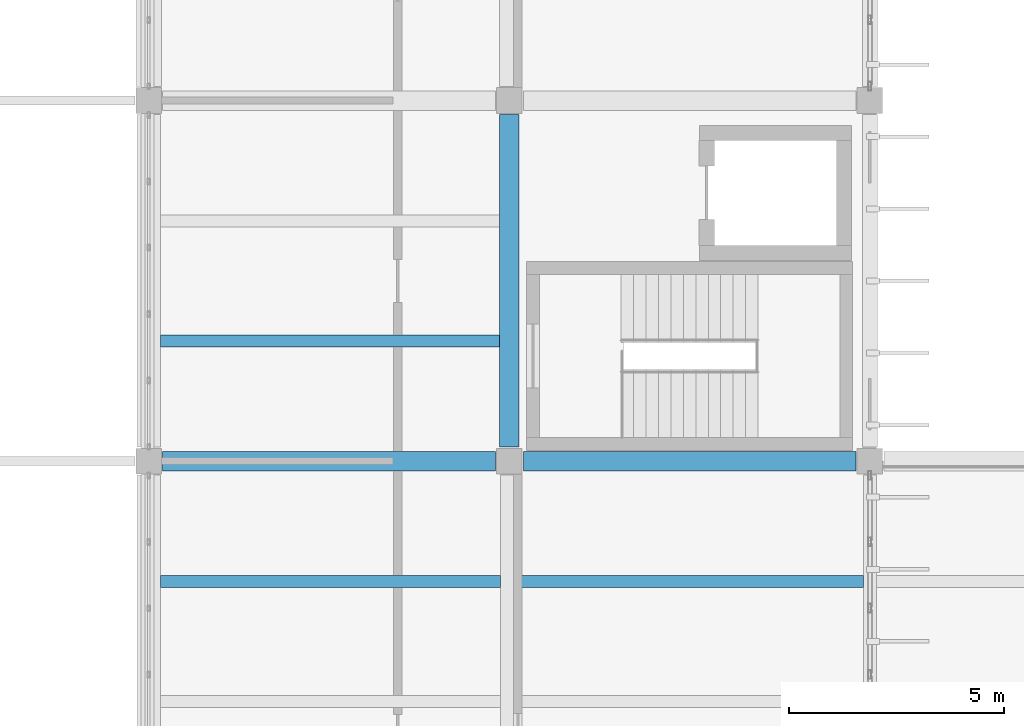
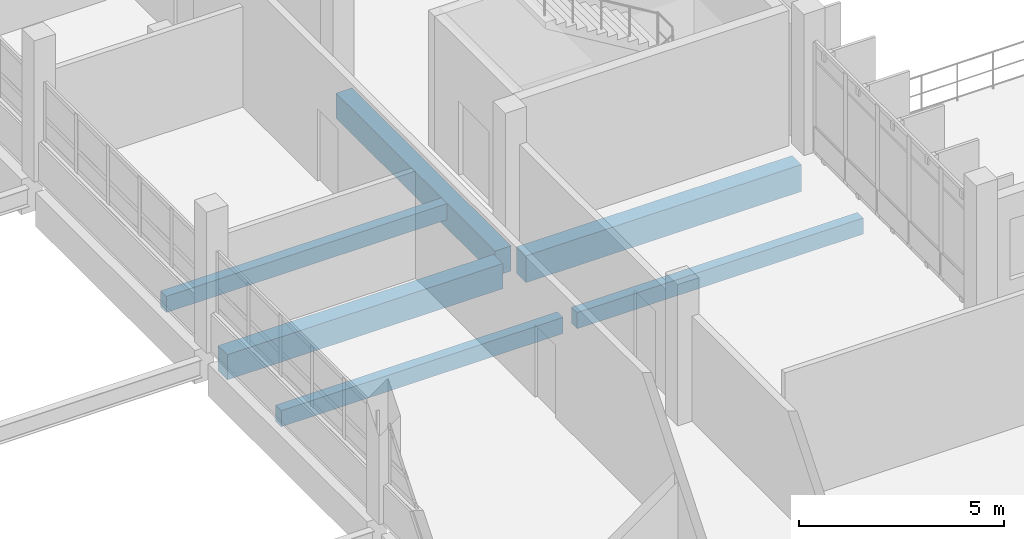
# One storey, part 44 of 130: 6 beams.
"""IFC4 building model written with IfcOpenShell, lengths in metres."""

from ifc_helpers import new_model, si_unit, direction, frame, origin, origin_2d, place, context, subcontext, project, spatial, rectangle, extrude, material, material_profile, profile_set, type_object, element, save


model = new_model("IFC4")

# Units and contexts
model_context = context("Model", 3, precision=1e-05, world=origin(), true_north=direction((0.0, 1.0)))
body_context = subcontext(model_context, "Body", "Model", "MODEL_VIEW")
ifc_project = project(units=[si_unit("LENGTHUNIT", "METRE"), si_unit("AREAUNIT", "SQUARE_METRE"), si_unit("VOLUMEUNIT", "CUBIC_METRE"), si_unit("PLANEANGLEUNIT", "RADIAN"), si_unit("MASSUNIT", "GRAM", prefix="KILO")], contexts=[model_context])

# Site, building, storey
site_placement = place(None, origin())
site = spatial("IfcSite", under=ifc_project, at=site_placement, CompositionType="ELEMENT")
building_placement = place(site_placement, origin())
building = spatial("IfcBuilding", under=site, at=building_placement, Name="Vireocrest Preparatory School", CompositionType="ELEMENT")
storey_placement = place(building_placement, frame((0.0, 0.0, 9.0)))
storey = spatial("IfcBuildingStorey", under=building, at=storey_placement, Name="L02", CompositionType="ELEMENT", Elevation=9.0)

# Beams
ifc_material = material(Name="Concrete 40 MPa", Category="concrete")
ifc_material_profile_1 = material_profile(ifc_material, rectangle(XDim=0.449951171875, YDim=0.75, at=origin_2d()), Name="RC 450x750")
ifc_profile_set_1 = profile_set([ifc_material_profile_1], Name="Concrete 40 MPa")
beam_type_1 = type_object("IfcBeamType", Name="RC Library Stack Girder 450x750", PredefinedType="BEAM", material=ifc_profile_set_1)
for number, where, z_axis, x_axis, name in (
    (1, (92.72509765625, 43.800048828125, -0.675048828125), (1.0, 0.0, 0.0), (0.0, 1.0, 0.0), "Primary Girder B11 L02-0719"),
    (2, (100.800048828125, 44.125, -0.675048828125), (0.0, 1.0, 0.0), (-1.0, 0.0, 0.0), "Primary Girder B11 L02-0850"),
):
    element("IfcBeam", number, at=place(storey_placement, frame(where, z_axis=z_axis, x_axis=x_axis)), inside=storey, type_object=beam_type_1, Name=name, PredefinedType="BEAM", context=body_context, shape_type="SweptSolid", body=[
        extrude(rectangle(XDim=0.449951171875, YDim=0.75, at=origin_2d()), origin(), (0.0, 0.0, 1.0), 7.75),
    ])
ifc_material_profile_2 = material_profile(ifc_material, rectangle(XDim=0.449951171875, YDim=0.800048828125, at=origin_2d()), Name="RC 450x800")
ifc_profile_set_2 = profile_set([ifc_material_profile_2], Name="Concrete 40 MPa")
beam_type_2 = type_object("IfcBeamType", Name="RC Library Stack Girder 450x800", PredefinedType="BEAM", material=ifc_profile_set_2)
beam_1_placement = place(storey_placement, frame((101.125, 43.800048828125, -0.699951171875), z_axis=(1.0, 0.0, 0.0), x_axis=(0.0, 1.0, 0.0)))
element("IfcBeam", 3, at=beam_1_placement, inside=storey, type_object=beam_type_2, Name="Primary Girder B12 L02-0720", PredefinedType="BEAM", context=body_context, shape_type="SweptSolid", body=[
    extrude(rectangle(XDim=0.449951171875, YDim=0.800048828125, at=origin_2d()), origin(), (0.0, 0.0, 1.0), 7.75),
])
ifc_material_profile_3 = material_profile(ifc_material, rectangle(XDim=0.280029296875, YDim=0.47998046875, at=origin_2d()), Name="RC 280x480")
ifc_profile_set_3 = profile_set([ifc_material_profile_3], Name="Concrete 40 MPa")
beam_type_3 = type_object("IfcBeamType", Name="RC Secondary Lab Joist 280x480", PredefinedType="JOIST", material=ifc_profile_set_3)
beam_2_placement = place(storey_placement, frame((92.675048828125, 41.0, -0.5400390625), z_axis=(1.0, 0.0, 0.0), x_axis=(0.0, 1.0, 0.0)))
element("IfcBeam", 4, at=beam_2_placement, inside=storey, type_object=beam_type_3, Name="Secondary Joist J02 L02-0971", PredefinedType="JOIST", context=body_context, shape_type="SweptSolid", body=[
    extrude(rectangle(XDim=0.280029296875, YDim=0.47998046875, at=origin_2d()), origin(), (0.0, 0.0, 1.0), 7.925048828125),
])
beam_3_placement = place(storey_placement, frame((92.675048828125, 46.60009765625, -0.5400390625), z_axis=(1.0, 0.0, 0.0), x_axis=(0.0, 1.0, 0.0)))
element("IfcBeam", 5, at=beam_3_placement, inside=storey, type_object=beam_type_3, Name="Secondary Joist J02 L02-0972", PredefinedType="JOIST", context=body_context, shape_type="SweptSolid", body=[
    extrude(rectangle(XDim=0.280029296875, YDim=0.47998046875, at=origin_2d()), origin(), (0.0, 0.0, 1.0), 7.89990234375),
])
beam_4_placement = place(storey_placement, frame((101.0, 41.0, -0.5400390625), z_axis=(1.0, 0.0, 0.0), x_axis=(0.0, 1.0, 0.0)))
element("IfcBeam", 6, at=beam_4_placement, inside=storey, type_object=beam_type_3, Name="Secondary Joist J02 L02-0993", PredefinedType="JOIST", context=body_context, shape_type="SweptSolid", body=[
    extrude(rectangle(XDim=0.280029296875, YDim=0.47998046875, at=origin_2d()), origin(), (0.0, 0.0, 1.0), 8.050048828125),
])

save(model, "model.ifc")
